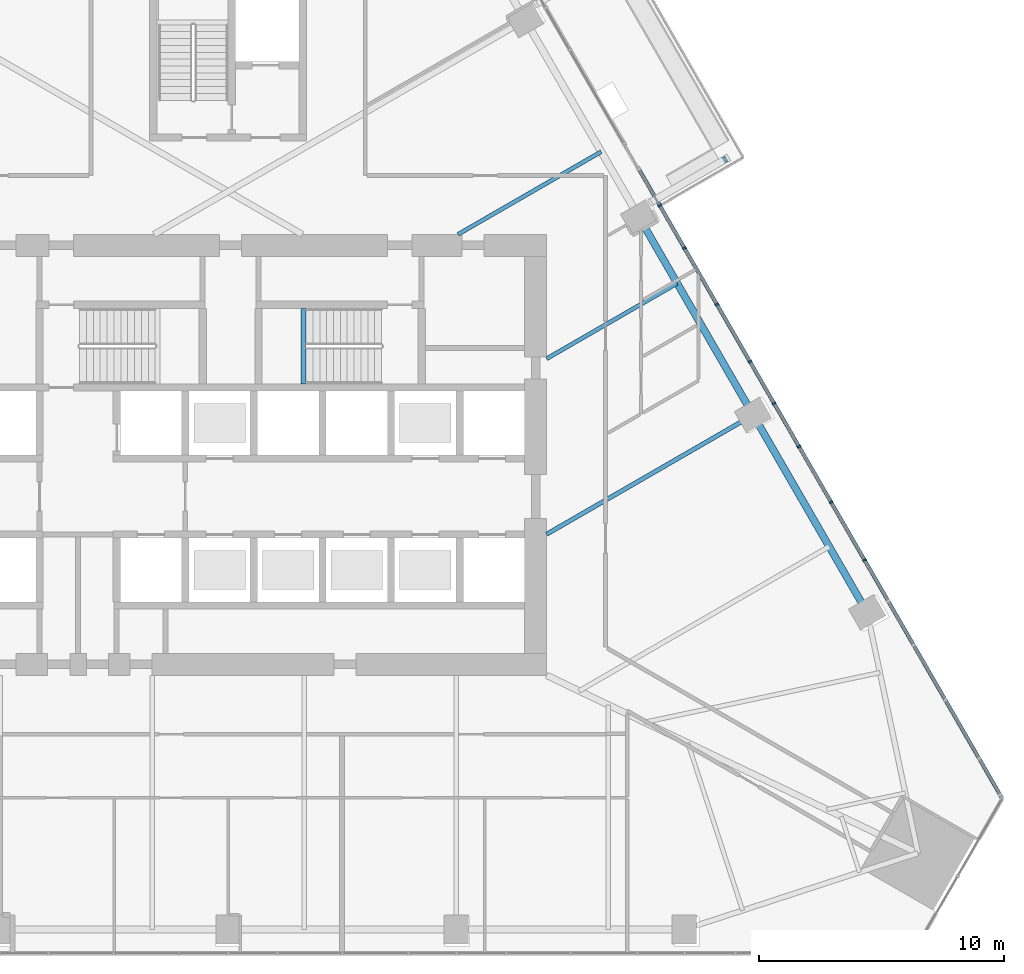
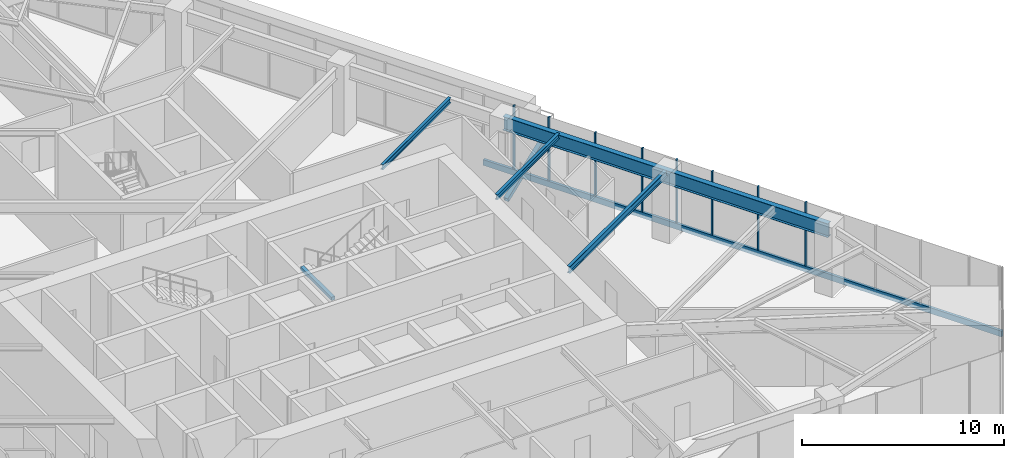
# One storey, part 7 of 26: 10 members, 5 beams, 1 element without a shape of its own.
"""IFC4 building model written with IfcOpenShell, lengths in metres."""

import ifcopenshell
import ifcopenshell.guid

model = None  # the IFC model being written
_history = None  # IfcOwnerHistory: only IFC2X3 demands one
_inside = {}  # id of a spatial element -> (the spatial element, [elements in it])
_under = {}  # id of a project, library or spatial element -> (it, [spatial elements below it])
_declared = {}  # id of a project -> (the project, [libraries it declares])
_typed = {}  # id of a type object -> (the type object, [elements of that type])
_made_of = {}  # id of a material, layer set ... -> (it, [elements and type objects made of it])


def new_model(schema):
    """Start an empty IFC model of exactly this schema.

    Asked for "IFC4X3", IfcOpenShell would pick the latest addendum, in which some entities
    have other attributes; the version numbers below select the first issue.
    IFC2X3 requires an IfcOwnerHistory on every rooted entity: one is made here for all.
    """
    global model, _history
    if schema == "IFC4X3":
        model = ifcopenshell.file(schema_version=(4, 3, 0, 0))
    else:
        model = ifcopenshell.file(schema=schema)
    _inside.clear()
    _under.clear()
    _declared.clear()
    _typed.clear()
    _made_of.clear()
    _history = None
    if model.schema == "IFC2X3":
        org = make("IfcOrganization", Name="unknown")
        user = make(
            "IfcPersonAndOrganization",
            ThePerson=make("IfcPerson", FamilyName="unknown"),
            TheOrganization=org,
        )
        app = make(
            "IfcApplication",
            ApplicationDeveloper=org,
            Version="unknown",
            ApplicationFullName="unknown",
            ApplicationIdentifier="unknown",
        )
        _history = make(
            "IfcOwnerHistory",
            OwningUser=user,
            OwningApplication=app,
            ChangeAction="ADDED",
            CreationDate=0,
        )
    return model


def make(cls, **values):
    """One entity of the class cls with the attributes given. An attribute that is None is left unset."""
    return model.create_entity(
        cls, **{name: value for name, value in values.items() if value is not None}
    )


def rooted(cls, **values):
    """An entity with a GlobalId (a new one), such as an element, a storey or a relation."""
    return make(cls, GlobalId=ifcopenshell.guid.new(), OwnerHistory=_history, **values)


def si_unit(unit_type, name, prefix=None):
    """IfcSIUnit, for example si_unit("LENGTHUNIT", "METRE", prefix="MILLI")."""
    return make("IfcSIUnit", UnitType=unit_type, Prefix=prefix, Name=name)


def assignment(units):
    """IfcUnitAssignment: the units of a project."""
    return None if units is None else make("IfcUnitAssignment", Units=units)


def point(xyz):
    """IfcCartesianPoint."""
    return None if xyz is None else make("IfcCartesianPoint", Coordinates=xyz)


def direction(xyz):
    """IfcDirection."""
    return None if xyz is None else make("IfcDirection", DirectionRatios=xyz)


def frame(location, z_axis=None, x_axis=None):
    """IfcAxis2Placement3D, a coordinate frame: its origin and axes. An axis left out is left unset."""
    return make(
        "IfcAxis2Placement3D",
        Location=point(location),
        Axis=direction(z_axis),
        RefDirection=direction(x_axis),
    )


def frame_2d(location, x_axis=None):
    """IfcAxis2Placement2D, a coordinate frame in the plane: its origin and x axis."""
    return make(
        "IfcAxis2Placement2D", Location=point(location), RefDirection=direction(x_axis)
    )


def origin():
    """The frame at (0, 0, 0) with its axes left unset."""
    return frame((0.0, 0.0, 0.0))


def origin_2d():
    """The frame at (0, 0) in the plane with its x axis left unset."""
    return frame_2d((0.0, 0.0))


def place(relative_to, where):
    """IfcLocalPlacement: puts the frame where relative to a parent placement (None: the world)."""
    return make(
        "IfcLocalPlacement", PlacementRelTo=relative_to, RelativePlacement=where
    )


def context(
    kind, dimensions, precision=None, world=None, true_north=None, identifier=None
):
    """IfcGeometricRepresentationContext, for example the 3D "Model" context."""
    return make(
        "IfcGeometricRepresentationContext",
        ContextIdentifier=identifier,
        ContextType=kind,
        CoordinateSpaceDimension=dimensions,
        Precision=precision,
        WorldCoordinateSystem=world,
        TrueNorth=true_north,
    )


def subcontext(parent, identifier, kind, view, scale=None):
    """IfcGeometricRepresentationSubContext, for example "Body" below "Model"."""
    return make(
        "IfcGeometricRepresentationSubContext",
        ContextIdentifier=identifier,
        ContextType=kind,
        ParentContext=parent,
        TargetScale=scale,
        TargetView=view,
    )


def project(units=None, contexts=None):
    """IfcProject with its units and contexts."""
    return rooted(
        "IfcProject",
        Name="project",
        RepresentationContexts=contexts,
        UnitsInContext=assignment(units),
    )


def spatial(cls, under=None, at=None, **own):
    """A site, building, storey or space (cls), placed at a placement, below another one or the project."""
    s = rooted(cls, ObjectPlacement=at, **own)
    if under is not None:
        _under.setdefault(under.id(), (under, []))[1].append(s)
    return s


def profile(cls, at=None, kind="AREA", **sizes):
    """A parametric profile (cls). Its sizes go by their IFC names, for example OverallWidth=200.0."""
    return make(cls, ProfileType=kind, Position=at, **sizes)


def rectangle(**sizes):
    """IfcRectangleProfileDef."""
    return profile("IfcRectangleProfileDef", **sizes)


def hollow_rectangle(**sizes):
    """IfcRectangleHollowProfileDef."""
    return profile("IfcRectangleHollowProfileDef", **sizes)


def i_section(**sizes):
    """IfcIShapeProfileDef."""
    return profile("IfcIShapeProfileDef", **sizes)


def extrude(swept, where, along, depth):
    """IfcExtrudedAreaSolid: the profile swept, set in the frame where, extruded along a direction by depth."""
    return make(
        "IfcExtrudedAreaSolid",
        SweptArea=swept,
        Position=where,
        ExtrudedDirection=direction(along),
        Depth=depth,
    )


def shape(context_of_items, identifier, shape_type, items):
    """IfcShapeRepresentation: the items that make up one representation, for example the "Body"."""
    return make(
        "IfcShapeRepresentation",
        ContextOfItems=context_of_items,
        RepresentationIdentifier=identifier,
        RepresentationType=shape_type,
        Items=items,
    )


def material(Name=None, Category=None):
    """IfcMaterial."""
    return make("IfcMaterial", Name=Name, Category=Category)


def layer(
    of_material, thickness, ventilated=None, Name=None, Category=None, Priority=None
):
    """IfcMaterialLayer: one layer of a wall or slab, of a material (None: an air gap)."""
    return make(
        "IfcMaterialLayer",
        Material=of_material,
        LayerThickness=thickness,
        IsVentilated=ventilated,
        Name=Name,
        Category=Category,
        Priority=Priority,
    )


def layer_set(layers, Name=None):
    """IfcMaterialLayerSet."""
    return make("IfcMaterialLayerSet", MaterialLayers=layers, LayerSetName=Name)


def material_profile(
    of_material, cross_section, Name=None, Category=None, Priority=None
):
    """IfcMaterialProfile: a cross section and its material."""
    return make(
        "IfcMaterialProfile",
        Name=Name,
        Material=of_material,
        Profile=cross_section,
        Priority=Priority,
        Category=Category,
    )


def profile_set(profiles, Name=None, composite=None):
    """IfcMaterialProfileSet."""
    return make(
        "IfcMaterialProfileSet",
        Name=Name,
        MaterialProfiles=profiles,
        CompositeProfile=composite,
    )


def made_of(thing, what):
    """Note that an element or type object is made of a material, layer set ...; save() writes the relation."""
    if what is not None:
        _made_of.setdefault(what.id(), (what, []))[1].append(thing)
    return thing


def type_object(cls, material=None, **own):
    """A type object (cls), such as IfcWallType, which elements share."""
    return made_of(rooted(cls, **own), material)


def element(
    cls,
    number,
    at=None,
    inside=None,
    cuts=None,
    type_object=None,
    material=None,
    context=None,
    identifier="Body",
    shape_type=None,
    held_by="IfcProductDefinitionShape",
    body=None,
    shapes=None,
    **own,
):
    """One element of the class cls, such as IfcWall. Its Tag is "e" and its number.

    at: its placement. inside: the storey or other place that contains it. cuts: it is an
    opening in that element (IfcRelVoidsElement). A single representation is given by context,
    identifier, shape_type and body (its items); several are given by shapes. held_by: the class
    of the entity that holds the representations. save() writes the other relations.
    """
    e = rooted(cls, Tag="e%d" % number, ObjectPlacement=at, **own)
    if body is not None:
        shapes = [shape(context, identifier, shape_type, body)]
    if shapes is not None:
        e.Representation = make(held_by, Representations=shapes)
    if inside is not None:
        _inside.setdefault(inside.id(), (inside, []))[1].append(e)
    if cuts is not None:
        rooted(
            "IfcRelVoidsElement", RelatingBuildingElement=cuts, RelatedOpeningElement=e
        )
    if type_object is not None:
        _typed.setdefault(type_object.id(), (type_object, []))[1].append(e)
    return made_of(e, material)


def aggregate(whole, parts):
    """IfcRelAggregates: a whole, such as a stair, and the parts it consists of."""
    return rooted("IfcRelAggregates", RelatingObject=whole, RelatedObjects=parts)


def save(model, path):
    """Write the relations noted so far, then the file.

    IfcRelAggregates (storeys below a building ...), IfcRelContainedInSpatialStructure (elements
    in a storey), IfcRelDefinesByType, IfcRelAssociatesMaterial and IfcRelDeclares: one each for
    every whole, place, type object, material and project.
    """
    for whole, parts in _under.values():
        aggregate(whole, parts)
    for where, things in _inside.values():
        rooted(
            "IfcRelContainedInSpatialStructure",
            RelatedElements=things,
            RelatingStructure=where,
        )
    for kind, things in _typed.values():
        rooted("IfcRelDefinesByType", RelatedObjects=things, RelatingType=kind)
    for what, things in _made_of.values():
        rooted("IfcRelAssociatesMaterial", RelatedObjects=things, RelatingMaterial=what)
    for by, libraries in _declared.values():
        rooted("IfcRelDeclares", RelatingContext=by, RelatedDefinitions=libraries)
    model.write(path)


model = new_model("IFC4")

# Units and contexts
model_context = context("Model", 3, precision=1e-05, world=origin(), true_north=direction((0.0, 1.0)))
body_context = subcontext(model_context, "Body", "Model", "MODEL_VIEW")
ifc_project = project(units=[si_unit("LENGTHUNIT", "METRE"), si_unit("AREAUNIT", "SQUARE_METRE"), si_unit("VOLUMEUNIT", "CUBIC_METRE"), si_unit("PLANEANGLEUNIT", "RADIAN"), si_unit("MASSUNIT", "GRAM", prefix="KILO")], contexts=[model_context])

# Site, building, storey
site_placement = place(None, origin())
site = spatial("IfcSite", under=ifc_project, at=site_placement, CompositionType="ELEMENT")
building_placement = place(site_placement, origin())
building = spatial("IfcBuilding", under=site, at=building_placement, Name="Firuza Gate Tower and Library", CompositionType="ELEMENT")
storey_placement = place(building_placement, frame((0.0, 0.0, 115.60009765625)))
storey = spatial("IfcBuildingStorey", under=building, at=storey_placement, Name="L26", CompositionType="ELEMENT", Elevation=115.60009765625)

# Curtain wall, members
ifc_material_1 = material(Name="Aluminium 6063-T6", Category="aluminium")
ifc_layer = layer(ifc_material_1, 0.14990234375)
ifc_layer_set = layer_set([ifc_layer], Name="Unitised curtain wall, offices")
curtain_wall_type = type_object("IfcCurtainWallType", Name="Unitised curtain wall, offices", PredefinedType="NOTDEFINED", material=ifc_layer_set)
curtain_wall_placement = place(storey_placement, origin())
curtain_wall = element("IfcCurtainWall", 1, at=curtain_wall_placement, inside=storey, type_object=curtain_wall_type, Name="CW1 L26 E face", PredefinedType="NOTDEFINED")
ifc_material_2 = material(Name="Aluminium 6063-T6", Category="aluminium")
ifc_material_profile_1 = material_profile(ifc_material_2, rectangle(XDim=0.14990234375, YDim=0.080078125, at=origin_2d()))
ifc_profile_set_1 = profile_set([ifc_material_profile_1], Name="Aluminium 6063-T6")
member_type_1 = type_object("IfcMemberType", Name="Curtain wall mullion 80x150", PredefinedType="MULLION", material=ifc_profile_set_1)
member_1_placement = place(storey_placement, frame((99.612060546875, 73.068115234375, 0.14990234375), z_axis=(0.0, 0.0, 1.0), x_axis=(-0.866025403784, -0.5, 0.0)))
member_1 = element("IfcMember", 2, at=member_1_placement, type_object=member_type_1, Name="Mullion", PredefinedType="MULLION", context=body_context, shape_type="SweptSolid", body=[
    extrude(rectangle(XDim=0.14990234375, YDim=0.080078125, at=origin_2d()), origin(), (0.0, 0.0, 1.0), 3.85009765625),
])
member_2_placement = place(storey_placement, frame((97.2822265625, 77.103515625, 0.14990234375), z_axis=(0.0, 0.0, 1.0), x_axis=(-0.866025403784, -0.5, 0.0)))
member_2 = element("IfcMember", 3, at=member_2_placement, type_object=member_type_1, Name="Mullion", PredefinedType="MULLION", context=body_context, shape_type="SweptSolid", body=[
    extrude(rectangle(XDim=0.14990234375, YDim=0.080078125, at=origin_2d()), origin(), (0.0, 0.0, 1.0), 3.85009765625),
])
member_3_placement = place(storey_placement, frame((94.952392578125, 81.138916015625, 0.14990234375), z_axis=(0.0, 0.0, 1.0), x_axis=(-0.866025403784, -0.5, 0.0)))
member_3 = element("IfcMember", 4, at=member_3_placement, type_object=member_type_1, Name="Mullion", PredefinedType="MULLION", context=body_context, shape_type="SweptSolid", body=[
    extrude(rectangle(XDim=0.14990234375, YDim=0.080078125, at=origin_2d()), origin(), (0.0, 0.0, 1.0), 3.85009765625),
])
member_4_placement = place(storey_placement, frame((92.62255859375, 85.17431640625, 0.14990234375), z_axis=(0.0, 0.0, 1.0), x_axis=(-0.866025403784, -0.5, 0.0)))
member_4 = element("IfcMember", 5, at=member_4_placement, type_object=member_type_1, Name="Mullion", PredefinedType="MULLION", context=body_context, shape_type="SweptSolid", body=[
    extrude(rectangle(XDim=0.14990234375, YDim=0.080078125, at=origin_2d()), origin(), (0.0, 0.0, 1.0), 3.85009765625),
])
member_5_placement = place(storey_placement, frame((100.974609375, 70.708251953125, 0.14990234375), z_axis=(0.0, 0.0, 1.0), x_axis=(-0.866025403784, -0.5, 0.0)))
member_5 = element("IfcMember", 6, at=member_5_placement, type_object=member_type_1, Name="Mullion", PredefinedType="MULLION", context=body_context, shape_type="SweptSolid", body=[
    extrude(rectangle(XDim=0.14990234375, YDim=0.080078125, at=origin_2d()), origin(), (0.0, 0.0, 1.0), 3.85009765625),
])
member_6_placement = place(storey_placement, frame((98.3017578125, 75.337646484375, 0.14990234375), z_axis=(0.0, 0.0, 1.0), x_axis=(-0.866025403784, -0.5, 0.0)))
member_6 = element("IfcMember", 7, at=member_6_placement, type_object=member_type_1, Name="Mullion", PredefinedType="MULLION", context=body_context, shape_type="SweptSolid", body=[
    extrude(rectangle(XDim=0.14990234375, YDim=0.080078125, at=origin_2d()), origin(), (0.0, 0.0, 1.0), 3.85009765625),
])
member_7_placement = place(storey_placement, frame((96.29736328125, 78.80908203125, 0.14990234375), z_axis=(0.0, 0.0, 1.0), x_axis=(-0.866025403784, -0.5, 0.0)))
member_7 = element("IfcMember", 8, at=member_7_placement, type_object=member_type_1, Name="Mullion", PredefinedType="MULLION", context=body_context, shape_type="SweptSolid", body=[
    extrude(rectangle(XDim=0.14990234375, YDim=0.080078125, at=origin_2d()), origin(), (0.0, 0.0, 1.0), 3.85009765625),
])
member_8_placement = place(storey_placement, frame((93.624755859375, 83.4384765625, 0.14990234375), z_axis=(0.0, 0.0, 1.0), x_axis=(-0.866025403784, -0.5, 0.0)))
member_8 = element("IfcMember", 9, at=member_8_placement, type_object=member_type_1, Name="Mullion", PredefinedType="MULLION", context=body_context, shape_type="SweptSolid", body=[
    extrude(rectangle(XDim=0.14990234375, YDim=0.080078125, at=origin_2d()), origin(), (0.0, 0.0, 1.0), 3.85009765625),
])
ifc_material_3 = material(Name="Aluminium 6063-T6", Category="aluminium")
ifc_material_profile_2 = material_profile(ifc_material_3, rectangle(XDim=0.14990234375, YDim=0.35009765625, at=origin_2d()))
ifc_profile_set_2 = profile_set([ifc_material_profile_2], Name="Aluminium 6063-T6")
member_type_2 = type_object("IfcMemberType", Name="Curtain wall transom 350x150", PredefinedType="USERDEFINED", material=ifc_profile_set_2)
member_9_placement = place(storey_placement, frame((106.601806640625, 60.961669921875, -0.025146484375), z_axis=(-0.500005386475, 0.866022293879, 0.0), x_axis=(-0.866022293879, -0.500005386475, 0.0)))
member_9 = element("IfcMember", 10, at=member_9_placement, type_object=member_type_2, Name="Transom", ObjectType="TRANSOM", PredefinedType="USERDEFINED", context=body_context, shape_type="SweptSolid", body=[
    extrude(rectangle(XDim=0.14990234375, YDim=0.35009765625, at=origin_2d()), origin(), (0.0, 0.0, 1.0), 29.678466796875),
])
aggregate(curtain_wall, [member_1, member_2, member_3, member_4, member_9, member_5, member_6, member_7, member_8])

# Member
ifc_material_4 = material(Name="Steel S355", Category="steel")
ifc_material_profile_3 = material_profile(ifc_material_4, hollow_rectangle(XDim=0.25390625, YDim=0.25390625, WallThickness=0.01171875, at=origin_2d()))
ifc_profile_set_3 = profile_set([ifc_material_profile_3], Name="Steel S355")
member_type_3 = type_object("IfcMemberType", Name="HSS254x254x13 Tray strut", PredefinedType="BRACE", material=ifc_profile_set_3)
member_10_placement = place(storey_placement, frame((92.251708984375, 85.306640625, -1.670166015625), z_axis=(0.807144487129, 0.465983580268, 0.362459763032), x_axis=(-0.499982693035, 0.866035395735, 0.0)))
element("IfcMember", 11, at=member_10_placement, inside=storey, type_object=member_type_3, Name="Tray strut L26 col:L25:E3", PredefinedType="BRACE", context=body_context, shape_type="SweptSolid", body=[
    extrude(hollow_rectangle(XDim=0.25390625, YDim=0.25390625, WallThickness=0.01171875, at=origin_2d()), origin(), (0.0, 0.0, 1.0), 3.86279296875),
])

# Beams
ifc_material_5 = material(Name="Concrete C35/45", Category="concrete")
ifc_material_profile_4 = material_profile(ifc_material_5, rectangle(XDim=0.199951171875, YDim=0.199951171875, at=origin_2d()))
ifc_profile_set_4 = profile_set([ifc_material_profile_4], Name="Concrete C35/45")
beam_type_1 = type_object("IfcBeamType", Name="Stair landing bearer 200x200", PredefinedType="BEAM", material=ifc_profile_set_4)
beam_1_placement = place(storey_placement, frame((78.080078125, 80.97998046875, 1.7998046875), z_axis=(0.0, -1.0, 0.0), x_axis=(1.0, 0.0, 0.0)))
element("IfcBeam", 12, at=beam_1_placement, inside=storey, type_object=beam_type_1, Name="Landing bearer L26 stair 2", PredefinedType="BEAM", context=body_context, shape_type="SweptSolid", body=[
    extrude(rectangle(XDim=0.199951171875, YDim=0.199951171875, at=origin_2d()), origin(), (0.0, 0.0, 1.0), 3.080078125),
])
ifc_material_6 = material(Name="Steel S355", Category="steel")
ifc_material_profile_5 = material_profile(ifc_material_6, i_section(OverallWidth=0.1650390625, OverallDepth=0.31005859375, WebThickness=0.005859375, FlangeThickness=0.009765625, at=origin_2d()))
ifc_profile_set_5 = profile_set([ifc_material_profile_5], Name="Steel S355")
beam_type_2 = type_object("IfcBeamType", Name="W310x39 Floor beam", PredefinedType="JOIST", material=ifc_profile_set_5)
beam_2_placement = place(storey_placement, frame((93.3291015625, 82.000732421875, 3.844970703125), z_axis=(-0.866032304456, -0.499988047496, 0.0), x_axis=(0.499988047496, -0.866032304456, 0.0)))
element("IfcBeam", 13, at=beam_2_placement, inside=storey, type_object=beam_type_2, Name="Floor beam L26 s52", PredefinedType="JOIST", context=body_context, shape_type="SweptSolid", body=[
    extrude(i_section(OverallWidth=0.1650390625, OverallDepth=0.31005859375, WebThickness=0.005859375, FlangeThickness=0.009765625, at=origin_2d()), origin(), (0.0, 0.0, 1.0), 6.153564453125),
])
beam_3_placement = place(storey_placement, frame((90.227294921875, 87.373046875, 3.844970703125), z_axis=(-0.866025277505, -0.500000218722, 0.0), x_axis=(0.500000218722, -0.866025277505, 0.0)))
element("IfcBeam", 14, at=beam_3_placement, inside=storey, type_object=beam_type_2, Name="Floor beam L26 s53", PredefinedType="JOIST", context=body_context, shape_type="SweptSolid", body=[
    extrude(i_section(OverallWidth=0.1650390625, OverallDepth=0.31005859375, WebThickness=0.005859375, FlangeThickness=0.009765625, at=origin_2d()), origin(), (0.0, 0.0, 1.0), 6.74609375),
])
ifc_material_7 = material(Name="Steel S355", Category="steel")
ifc_material_profile_6 = material_profile(ifc_material_7, i_section(OverallWidth=0.177978515625, OverallDepth=0.406982421875, WebThickness=0.0078125, FlangeThickness=0.0126953125, at=origin_2d()))
ifc_profile_set_6 = profile_set([ifc_material_profile_6], Name="Steel S355")
beam_type_3 = type_object("IfcBeamType", Name="W410x60 Floor beam", PredefinedType="JOIST", material=ifc_profile_set_6)
beam_4_placement = place(storey_placement, frame((96.4306640625, 76.62841796875, 3.79638671875), z_axis=(-0.866026049877, -0.499998880933, 0.0), x_axis=(0.499998880933, -0.866026049877, 0.0)))
element("IfcBeam", 15, at=beam_4_placement, inside=storey, type_object=beam_type_3, Name="Floor beam L26 s51", PredefinedType="JOIST", context=body_context, shape_type="SweptSolid", body=[
    extrude(i_section(OverallWidth=0.177978515625, OverallDepth=0.406982421875, WebThickness=0.0078125, FlangeThickness=0.0126953125, at=origin_2d()), origin(), (0.0, 0.0, 1.0), 9.73486328125),
])
ifc_material_8 = material(Name="Steel S355", Category="steel")
ifc_material_profile_7 = material_profile(ifc_material_8, i_section(OverallWidth=0.2919921875, OverallDepth=0.8349609375, WebThickness=0.013916015625, FlangeThickness=0.018798828125, at=origin_2d()))
ifc_profile_set_7 = profile_set([ifc_material_profile_7], Name="Steel S355")
beam_type_4 = type_object("IfcBeamType", Name="W840x176 Edge beam", PredefinedType="SPANDREL", material=ifc_profile_set_7)
beam_5_placement = place(storey_placement, frame((101.083251953125, 68.570068359375, 3.58251953125), z_axis=(-0.500007864632, 0.86602086309, 0.0), x_axis=(-0.86602086309, -0.500007864632, 0.0)))
element("IfcBeam", 16, at=beam_5_placement, inside=storey, type_object=beam_type_4, Name="Edge beam L26 e50", PredefinedType="SPANDREL", context=body_context, shape_type="SweptSolid", body=[
    extrude(i_section(OverallWidth=0.2919921875, OverallDepth=0.8349609375, WebThickness=0.013916015625, FlangeThickness=0.018798828125, at=origin_2d()), origin(), (0.0, 0.0, 1.0), 18.610107421875),
])

save(model, "model.ifc")
